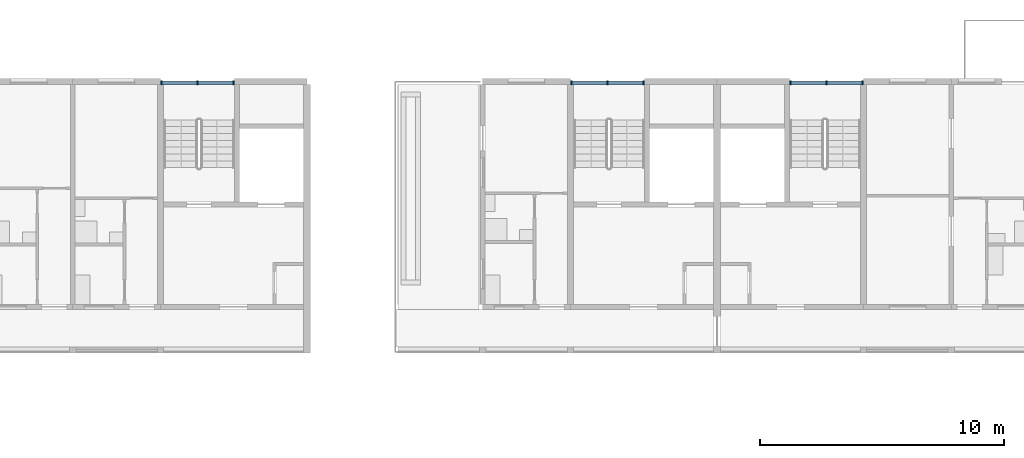
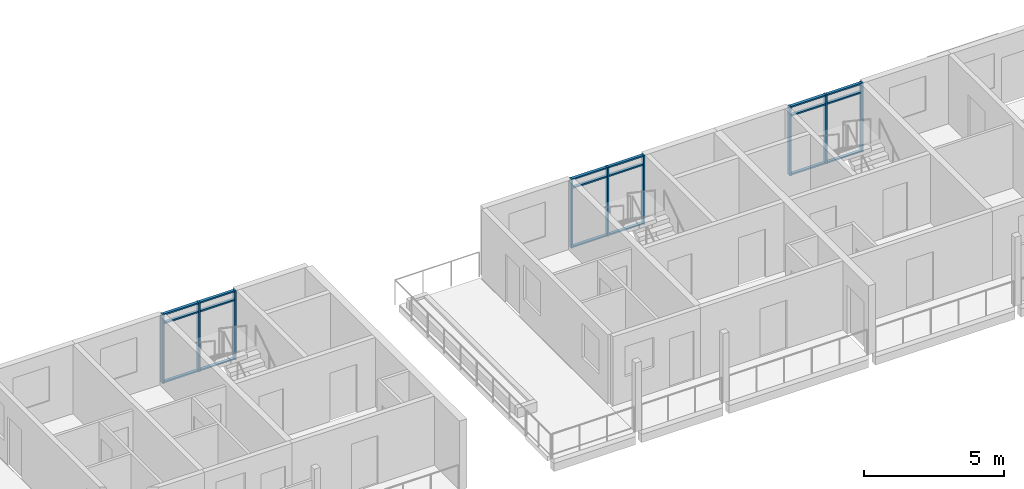
# One storey, part 22 of 94: 27 members, 3 elements without a shape of their own.
"""IFC4 building model written with IfcOpenShell, lengths in metres."""

from ifc_helpers import new_model, si_unit, direction, frame, origin, origin_2d, place, context, subcontext, project, spatial, rectangle, extrude, material, material_profile, profile_set, type_object, element, aggregate, save


model = new_model("IFC4")

# Units and contexts
model_context = context("Model", 3, precision=1e-05, world=origin(), true_north=direction((0.0, 1.0)))
body_context = subcontext(model_context, "Body", "Model", "MODEL_VIEW")
ifc_project = project(units=[si_unit("LENGTHUNIT", "METRE"), si_unit("AREAUNIT", "SQUARE_METRE"), si_unit("VOLUMEUNIT", "CUBIC_METRE"), si_unit("PLANEANGLEUNIT", "RADIAN"), si_unit("MASSUNIT", "GRAM", prefix="KILO")], contexts=[model_context])

# Site, building, storey
site_placement = place(None, origin())
site = spatial("IfcSite", under=ifc_project, at=site_placement, CompositionType="ELEMENT")
building_placement = place(site_placement, origin())
building = spatial("IfcBuilding", under=site, at=building_placement, Name="Ridgestep Commons", CompositionType="ELEMENT")
storey_placement = place(building_placement, frame((0.0, 0.0, 24.0)))
storey = spatial("IfcBuildingStorey", under=building, at=storey_placement, Name="L08", CompositionType="ELEMENT", Elevation=24.0)

# Curtain wall, members
ifc_material_1 = material(Name="Aluminium 6063-T6 and glass", Category="aluminium")
curtain_wall_type = type_object("IfcCurtainWallType", Name="Curtain wall stair strip", PredefinedType="NOTDEFINED", material=ifc_material_1)
curtain_wall_1_placement = place(storey_placement, origin())
curtain_wall_1 = element("IfcCurtainWall", 1, at=curtain_wall_1_placement, inside=storey, type_object=curtain_wall_type, Name="Curtain wall C1C level 08", PredefinedType="NOTDEFINED")
ifc_material_2 = material(Name="Aluminium 6063-T6", Category="aluminium")
ifc_material_profile_1 = material_profile(ifc_material_2, rectangle(XDim=0.159912109375, YDim=0.06005859375, at=origin_2d()), Name="Mullion 60 x 160")
ifc_profile_set_1 = profile_set([ifc_material_profile_1], Name="Aluminium 6063-T6")
member_type_1 = type_object("IfcMemberType", Name="Mullion 60 x 160", PredefinedType="MULLION", material=ifc_profile_set_1)
member_1_placement = place(storey_placement, frame((157.6298828125, 77.080078125, 0.0), z_axis=(0.0, 0.0, 1.0), x_axis=(0.0, 1.0, 0.0)))
member_1 = element("IfcMember", 2, at=member_1_placement, type_object=member_type_1, Name="CW1 mullion 1", PredefinedType="MULLION", context=body_context, shape_type="SweptSolid", body=[
    extrude(rectangle(XDim=0.159912109375, YDim=0.06005859375, at=origin_2d()), origin(), (0.0, 0.0, 1.0), 3.0),
])
member_2_placement = place(storey_placement, frame((159.112548828125, 77.080078125, 0.0), z_axis=(0.0, 0.0, 1.0), x_axis=(0.0, 1.0, 0.0)))
member_2 = element("IfcMember", 3, at=member_2_placement, type_object=member_type_1, Name="CW1 mullion 2", PredefinedType="MULLION", context=body_context, shape_type="SweptSolid", body=[
    extrude(rectangle(XDim=0.159912109375, YDim=0.06005859375, at=origin_2d()), origin(), (0.0, 0.0, 1.0), 3.0),
])
member_3_placement = place(storey_placement, frame((160.594970703125, 77.080078125, 0.0), z_axis=(0.0, 0.0, 1.0), x_axis=(0.0, 1.0, 0.0)))
member_3 = element("IfcMember", 4, at=member_3_placement, type_object=member_type_1, Name="CW1 mullion 3", PredefinedType="MULLION", context=body_context, shape_type="SweptSolid", body=[
    extrude(rectangle(XDim=0.159912109375, YDim=0.06005859375, at=origin_2d()), origin(), (0.0, 0.0, 1.0), 3.0),
])

curtain_wall_2_placement = place(storey_placement, origin())
curtain_wall_2 = element("IfcCurtainWall", 5, at=curtain_wall_2_placement, inside=storey, type_object=curtain_wall_type, Name="Curtain wall C2C level 08", PredefinedType="NOTDEFINED")
member_4_placement = place(storey_placement, frame((174.429931640625, 77.080078125, 0.0), z_axis=(0.0, 0.0, 1.0), x_axis=(0.0, 1.0, 0.0)))
member_4 = element("IfcMember", 6, at=member_4_placement, type_object=member_type_1, Name="CW1 mullion 1", PredefinedType="MULLION", context=body_context, shape_type="SweptSolid", body=[
    extrude(rectangle(XDim=0.159912109375, YDim=0.06005859375, at=origin_2d()), origin(), (0.0, 0.0, 1.0), 3.0),
])
member_5_placement = place(storey_placement, frame((175.91259765625, 77.080078125, 0.0), z_axis=(0.0, 0.0, 1.0), x_axis=(0.0, 1.0, 0.0)))
member_5 = element("IfcMember", 7, at=member_5_placement, type_object=member_type_1, Name="CW1 mullion 2", PredefinedType="MULLION", context=body_context, shape_type="SweptSolid", body=[
    extrude(rectangle(XDim=0.159912109375, YDim=0.06005859375, at=origin_2d()), origin(), (0.0, 0.0, 1.0), 3.0),
])
member_6_placement = place(storey_placement, frame((177.39501953125, 77.080078125, 0.0), z_axis=(0.0, 0.0, 1.0), x_axis=(0.0, 1.0, 0.0)))
member_6 = element("IfcMember", 8, at=member_6_placement, type_object=member_type_1, Name="CW1 mullion 3", PredefinedType="MULLION", context=body_context, shape_type="SweptSolid", body=[
    extrude(rectangle(XDim=0.159912109375, YDim=0.06005859375, at=origin_2d()), origin(), (0.0, 0.0, 1.0), 3.0),
])

curtain_wall_3_placement = place(storey_placement, origin())
curtain_wall_3 = element("IfcCurtainWall", 9, at=curtain_wall_3_placement, inside=storey, type_object=curtain_wall_type, Name="Curtain wall C3C level 08", PredefinedType="NOTDEFINED")
member_7_placement = place(storey_placement, frame((183.405029296875, 77.080078125, 0.0), z_axis=(0.0, 0.0, 1.0), x_axis=(0.0, 1.0, 0.0)))
member_7 = element("IfcMember", 10, at=member_7_placement, type_object=member_type_1, Name="CW1 mullion 1", PredefinedType="MULLION", context=body_context, shape_type="SweptSolid", body=[
    extrude(rectangle(XDim=0.159912109375, YDim=0.06005859375, at=origin_2d()), origin(), (0.0, 0.0, 1.0), 3.0),
])
member_8_placement = place(storey_placement, frame((184.887451171875, 77.080078125, 0.0), z_axis=(0.0, 0.0, 1.0), x_axis=(0.0, 1.0, 0.0)))
member_8 = element("IfcMember", 11, at=member_8_placement, type_object=member_type_1, Name="CW1 mullion 2", PredefinedType="MULLION", context=body_context, shape_type="SweptSolid", body=[
    extrude(rectangle(XDim=0.159912109375, YDim=0.06005859375, at=origin_2d()), origin(), (0.0, 0.0, 1.0), 3.0),
])
member_9_placement = place(storey_placement, frame((186.3701171875, 77.080078125, 0.0), z_axis=(0.0, 0.0, 1.0), x_axis=(0.0, 1.0, 0.0)))
member_9 = element("IfcMember", 12, at=member_9_placement, type_object=member_type_1, Name="CW1 mullion 3", PredefinedType="MULLION", context=body_context, shape_type="SweptSolid", body=[
    extrude(rectangle(XDim=0.159912109375, YDim=0.06005859375, at=origin_2d()), origin(), (0.0, 0.0, 1.0), 3.0),
])

# Member
ifc_material_3 = material(Name="Aluminium 6063-T6", Category="aluminium")
ifc_material_profile_2 = material_profile(ifc_material_3, rectangle(XDim=0.1201171875, YDim=0.06005859375, at=origin_2d()), Name="Transom 60 x 120")
ifc_profile_set_2 = profile_set([ifc_material_profile_2], Name="Aluminium 6063-T6")
member_type_2 = type_object("IfcMemberType", Name="Transom 60 x 120", PredefinedType="USERDEFINED", material=ifc_profile_set_2)
member_10_placement = place(storey_placement, frame((157.659912109375, 77.080078125, 0.030029296875), z_axis=(1.0, 0.0, 0.0), x_axis=(0.0, 1.0, 0.0)))
member_10 = element("IfcMember", 13, at=member_10_placement, type_object=member_type_2, Name="CW1 transom 1.1", ObjectType="TRANSOM", PredefinedType="USERDEFINED", context=body_context, shape_type="SweptSolid", body=[
    extrude(rectangle(XDim=0.1201171875, YDim=0.06005859375, at=origin_2d()), origin(), (0.0, 0.0, 1.0), 1.422607421875),
])

member_11_placement = place(storey_placement, frame((157.659912109375, 77.080078125, 2.590087890625), z_axis=(1.0, 0.0, 0.0), x_axis=(0.0, 1.0, 0.0)))
member_11 = element("IfcMember", 14, at=member_11_placement, type_object=member_type_2, Name="CW1 transom 1.2", ObjectType="TRANSOM", PredefinedType="USERDEFINED", context=body_context, shape_type="SweptSolid", body=[
    extrude(rectangle(XDim=0.1201171875, YDim=0.06005859375, at=origin_2d()), origin(), (0.0, 0.0, 1.0), 1.422607421875),
])

member_12_placement = place(storey_placement, frame((157.659912109375, 77.080078125, 2.969970703125), z_axis=(1.0, 0.0, 0.0), x_axis=(0.0, 1.0, 0.0)))
member_12 = element("IfcMember", 15, at=member_12_placement, type_object=member_type_2, Name="CW1 transom 1.3", ObjectType="TRANSOM", PredefinedType="USERDEFINED", context=body_context, shape_type="SweptSolid", body=[
    extrude(rectangle(XDim=0.1201171875, YDim=0.06005859375, at=origin_2d()), origin(), (0.0, 0.0, 1.0), 1.422607421875),
])

member_13_placement = place(storey_placement, frame((159.142578125, 77.080078125, 0.030029296875), z_axis=(1.0, 0.0, 0.0), x_axis=(0.0, 1.0, 0.0)))
member_13 = element("IfcMember", 16, at=member_13_placement, type_object=member_type_2, Name="CW1 transom 2.1", ObjectType="TRANSOM", PredefinedType="USERDEFINED", context=body_context, shape_type="SweptSolid", body=[
    extrude(rectangle(XDim=0.1201171875, YDim=0.06005859375, at=origin_2d()), origin(), (0.0, 0.0, 1.0), 1.42236328125),
])

member_14_placement = place(storey_placement, frame((159.142578125, 77.080078125, 2.590087890625), z_axis=(1.0, 0.0, 0.0), x_axis=(0.0, 1.0, 0.0)))
member_14 = element("IfcMember", 17, at=member_14_placement, type_object=member_type_2, Name="CW1 transom 2.2", ObjectType="TRANSOM", PredefinedType="USERDEFINED", context=body_context, shape_type="SweptSolid", body=[
    extrude(rectangle(XDim=0.1201171875, YDim=0.06005859375, at=origin_2d()), origin(), (0.0, 0.0, 1.0), 1.42236328125),
])

member_15_placement = place(storey_placement, frame((159.142578125, 77.080078125, 2.969970703125), z_axis=(1.0, 0.0, 0.0), x_axis=(0.0, 1.0, 0.0)))
member_15 = element("IfcMember", 18, at=member_15_placement, type_object=member_type_2, Name="CW1 transom 2.3", ObjectType="TRANSOM", PredefinedType="USERDEFINED", context=body_context, shape_type="SweptSolid", body=[
    extrude(rectangle(XDim=0.1201171875, YDim=0.06005859375, at=origin_2d()), origin(), (0.0, 0.0, 1.0), 1.42236328125),
])

aggregate(curtain_wall_1, [member_1, member_2, member_3, member_10, member_11, member_12, member_13, member_14, member_15])

member_16_placement = place(storey_placement, frame((174.4599609375, 77.080078125, 0.030029296875), z_axis=(1.0, 0.0, 0.0), x_axis=(0.0, 1.0, 0.0)))
member_16 = element("IfcMember", 19, at=member_16_placement, type_object=member_type_2, Name="CW1 transom 1.1", ObjectType="TRANSOM", PredefinedType="USERDEFINED", context=body_context, shape_type="SweptSolid", body=[
    extrude(rectangle(XDim=0.1201171875, YDim=0.06005859375, at=origin_2d()), origin(), (0.0, 0.0, 1.0), 1.422607421875),
])

member_17_placement = place(storey_placement, frame((174.4599609375, 77.080078125, 2.590087890625), z_axis=(1.0, 0.0, 0.0), x_axis=(0.0, 1.0, 0.0)))
member_17 = element("IfcMember", 20, at=member_17_placement, type_object=member_type_2, Name="CW1 transom 1.2", ObjectType="TRANSOM", PredefinedType="USERDEFINED", context=body_context, shape_type="SweptSolid", body=[
    extrude(rectangle(XDim=0.1201171875, YDim=0.06005859375, at=origin_2d()), origin(), (0.0, 0.0, 1.0), 1.422607421875),
])

member_18_placement = place(storey_placement, frame((174.4599609375, 77.080078125, 2.969970703125), z_axis=(1.0, 0.0, 0.0), x_axis=(0.0, 1.0, 0.0)))
member_18 = element("IfcMember", 21, at=member_18_placement, type_object=member_type_2, Name="CW1 transom 1.3", ObjectType="TRANSOM", PredefinedType="USERDEFINED", context=body_context, shape_type="SweptSolid", body=[
    extrude(rectangle(XDim=0.1201171875, YDim=0.06005859375, at=origin_2d()), origin(), (0.0, 0.0, 1.0), 1.422607421875),
])

member_19_placement = place(storey_placement, frame((175.9423828125, 77.080078125, 0.030029296875), z_axis=(1.0, 0.0, 0.0), x_axis=(0.0, 1.0, 0.0)))
member_19 = element("IfcMember", 22, at=member_19_placement, type_object=member_type_2, Name="CW1 transom 2.1", ObjectType="TRANSOM", PredefinedType="USERDEFINED", context=body_context, shape_type="SweptSolid", body=[
    extrude(rectangle(XDim=0.1201171875, YDim=0.06005859375, at=origin_2d()), origin(), (0.0, 0.0, 1.0), 1.422607421875),
])

member_20_placement = place(storey_placement, frame((175.9423828125, 77.080078125, 2.590087890625), z_axis=(1.0, 0.0, 0.0), x_axis=(0.0, 1.0, 0.0)))
member_20 = element("IfcMember", 23, at=member_20_placement, type_object=member_type_2, Name="CW1 transom 2.2", ObjectType="TRANSOM", PredefinedType="USERDEFINED", context=body_context, shape_type="SweptSolid", body=[
    extrude(rectangle(XDim=0.1201171875, YDim=0.06005859375, at=origin_2d()), origin(), (0.0, 0.0, 1.0), 1.422607421875),
])

member_21_placement = place(storey_placement, frame((175.9423828125, 77.080078125, 2.969970703125), z_axis=(1.0, 0.0, 0.0), x_axis=(0.0, 1.0, 0.0)))
member_21 = element("IfcMember", 24, at=member_21_placement, type_object=member_type_2, Name="CW1 transom 2.3", ObjectType="TRANSOM", PredefinedType="USERDEFINED", context=body_context, shape_type="SweptSolid", body=[
    extrude(rectangle(XDim=0.1201171875, YDim=0.06005859375, at=origin_2d()), origin(), (0.0, 0.0, 1.0), 1.422607421875),
])

aggregate(curtain_wall_2, [member_4, member_5, member_6, member_16, member_17, member_18, member_19, member_20, member_21])

member_22_placement = place(storey_placement, frame((183.43505859375, 77.080078125, 0.030029296875), z_axis=(1.0, 0.0, 0.0), x_axis=(0.0, 1.0, 0.0)))
member_22 = element("IfcMember", 25, at=member_22_placement, type_object=member_type_2, Name="CW1 transom 1.1", ObjectType="TRANSOM", PredefinedType="USERDEFINED", context=body_context, shape_type="SweptSolid", body=[
    extrude(rectangle(XDim=0.1201171875, YDim=0.06005859375, at=origin_2d()), origin(), (0.0, 0.0, 1.0), 1.42236328125),
])

member_23_placement = place(storey_placement, frame((183.43505859375, 77.080078125, 2.590087890625), z_axis=(1.0, 0.0, 0.0), x_axis=(0.0, 1.0, 0.0)))
member_23 = element("IfcMember", 26, at=member_23_placement, type_object=member_type_2, Name="CW1 transom 1.2", ObjectType="TRANSOM", PredefinedType="USERDEFINED", context=body_context, shape_type="SweptSolid", body=[
    extrude(rectangle(XDim=0.1201171875, YDim=0.06005859375, at=origin_2d()), origin(), (0.0, 0.0, 1.0), 1.42236328125),
])

member_24_placement = place(storey_placement, frame((183.43505859375, 77.080078125, 2.969970703125), z_axis=(1.0, 0.0, 0.0), x_axis=(0.0, 1.0, 0.0)))
member_24 = element("IfcMember", 27, at=member_24_placement, type_object=member_type_2, Name="CW1 transom 1.3", ObjectType="TRANSOM", PredefinedType="USERDEFINED", context=body_context, shape_type="SweptSolid", body=[
    extrude(rectangle(XDim=0.1201171875, YDim=0.06005859375, at=origin_2d()), origin(), (0.0, 0.0, 1.0), 1.42236328125),
])

member_25_placement = place(storey_placement, frame((184.91748046875, 77.080078125, 0.030029296875), z_axis=(1.0, 0.0, 0.0), x_axis=(0.0, 1.0, 0.0)))
member_25 = element("IfcMember", 28, at=member_25_placement, type_object=member_type_2, Name="CW1 transom 2.1", ObjectType="TRANSOM", PredefinedType="USERDEFINED", context=body_context, shape_type="SweptSolid", body=[
    extrude(rectangle(XDim=0.1201171875, YDim=0.06005859375, at=origin_2d()), origin(), (0.0, 0.0, 1.0), 1.422607421875),
])

member_26_placement = place(storey_placement, frame((184.91748046875, 77.080078125, 2.590087890625), z_axis=(1.0, 0.0, 0.0), x_axis=(0.0, 1.0, 0.0)))
member_26 = element("IfcMember", 29, at=member_26_placement, type_object=member_type_2, Name="CW1 transom 2.2", ObjectType="TRANSOM", PredefinedType="USERDEFINED", context=body_context, shape_type="SweptSolid", body=[
    extrude(rectangle(XDim=0.1201171875, YDim=0.06005859375, at=origin_2d()), origin(), (0.0, 0.0, 1.0), 1.422607421875),
])

member_27_placement = place(storey_placement, frame((184.91748046875, 77.080078125, 2.969970703125), z_axis=(1.0, 0.0, 0.0), x_axis=(0.0, 1.0, 0.0)))
member_27 = element("IfcMember", 30, at=member_27_placement, type_object=member_type_2, Name="CW1 transom 2.3", ObjectType="TRANSOM", PredefinedType="USERDEFINED", context=body_context, shape_type="SweptSolid", body=[
    extrude(rectangle(XDim=0.1201171875, YDim=0.06005859375, at=origin_2d()), origin(), (0.0, 0.0, 1.0), 1.422607421875),
])

aggregate(curtain_wall_3, [member_7, member_8, member_9, member_22, member_23, member_24, member_25, member_26, member_27])

save(model, "model.ifc")
